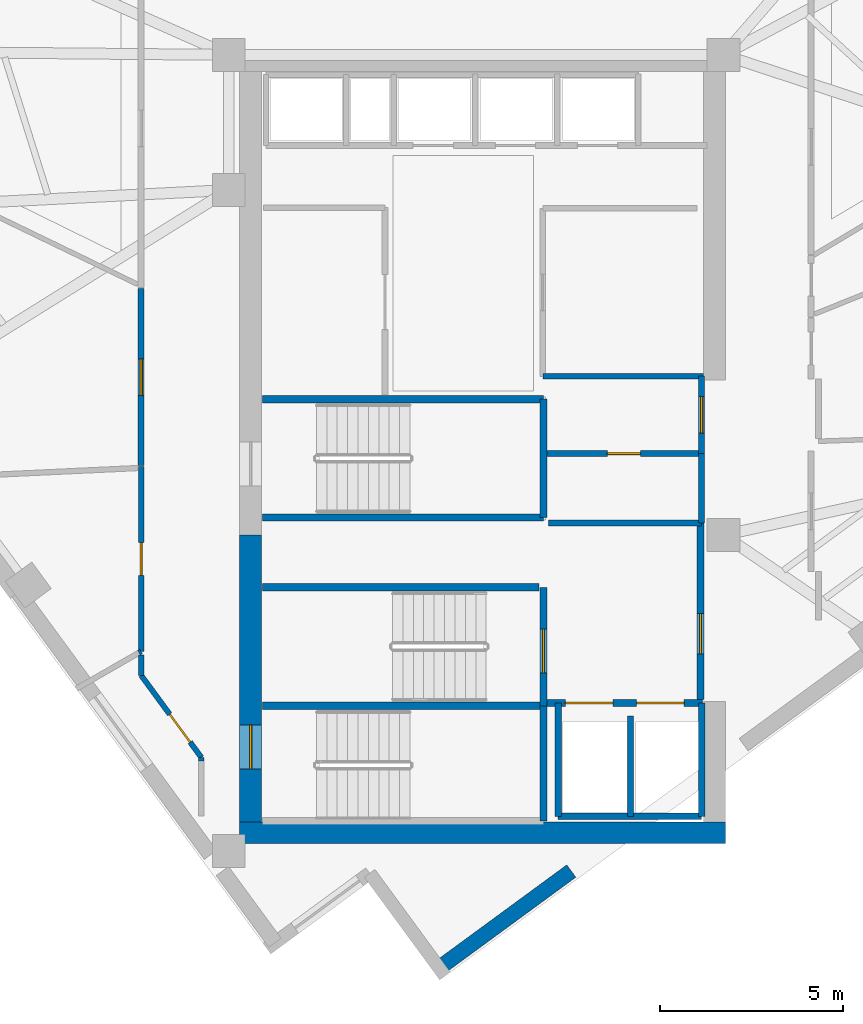
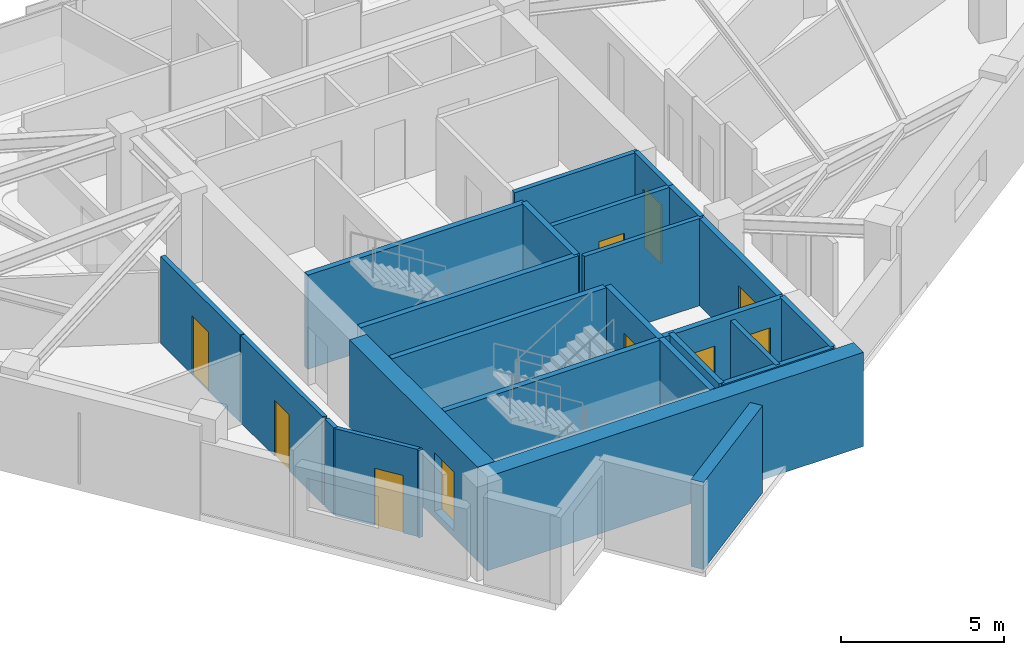
# One storey, part 8 of 13: 27 walls, 10 doors, 10 openings.
"""IFC4 building model written with IfcOpenShell, lengths in metres."""

from ifc_helpers import new_model, si_unit, direction, frame, frame_2d, origin, place, context, subcontext, project, spatial, rectangle, extrude, material, layer, layer_set, type_object, element, fill, save


model = new_model("IFC4")

# Units and contexts
model_context = context("Model", 3, precision=1e-05, world=origin(), true_north=direction((0.0, 1.0)))
body_context = subcontext(model_context, "Body", "Model", "MODEL_VIEW")
ifc_project = project(units=[si_unit("LENGTHUNIT", "METRE"), si_unit("AREAUNIT", "SQUARE_METRE"), si_unit("VOLUMEUNIT", "CUBIC_METRE"), si_unit("PLANEANGLEUNIT", "RADIAN"), si_unit("MASSUNIT", "GRAM", prefix="KILO")], contexts=[model_context])

# Site, building, storey
site_placement = place(None, origin())
site = spatial("IfcSite", under=ifc_project, at=site_placement, CompositionType="ELEMENT")
building_placement = place(site_placement, origin())
building = spatial("IfcBuilding", under=site, at=building_placement, Name="Narakoshi Arena Tower", CompositionType="ELEMENT")
storey_placement = place(building_placement, frame((0.0, 0.0, 253.699951171875)))
storey = spatial("IfcBuildingStorey", under=building, at=storey_placement, Name="L69", CompositionType="ELEMENT", Elevation=253.699951171875)

# Wall, opening, door
ifc_material_1 = material(Name="Concrete C50/60", Category="concrete")
ifc_layer_1 = layer(ifc_material_1, 0.60009765625)
ifc_layer_set_1 = layer_set([ifc_layer_1], Name="Concrete C50/60")
wall_type_1 = type_object("IfcWallType", Name="WL-CORE-600", PredefinedType="SHEAR", material=ifc_layer_set_1)
wall_1_placement = place(storey_placement, frame((72.60009765625, 35.5, -0.260009765625), z_axis=(0.0, 0.0, 1.0), x_axis=(0.0, 1.0, 0.0)))
wall_1 = element("IfcWall", 1, at=wall_1_placement, inside=storey, type_object=wall_type_1, Name="L69 Central Core Shear Wall CW-APX-W", PredefinedType="SHEAR", context=body_context, shape_type="SweptSolid", body=[
    extrude(rectangle(XDim=7.85009765625, YDim=0.60009765625, at=frame_2d((3.925048828125, 0.0))), origin(), (0.0, 0.0, 1.0), 3.52001953125),
])
opening_1_placement = place(wall_1_placement, frame((1.449951171875, 0.0, 0.260009765625)))
opening_1 = element("IfcOpeningElement", 2, at=opening_1_placement, cuts=wall_1, Name="Opening D-03", PredefinedType="OPENING", context=body_context, shape_type="SweptSolid", body=[
    extrude(rectangle(XDim=1.199951171875, YDim=2.199951171875, at=frame_2d((0.60009765625, 1.10009765625))), frame((0.0, 0.31005859375, 0.0), z_axis=(0.0, -1.0, 0.0), x_axis=(1.0, 0.0, 0.0)), (0.0, 0.0, 1.0), 0.6201171875),
])
ifc_material_2 = material(Name="Painted galvanized steel", Category="steel")
door_type_1 = type_object("IfcDoorType", Name="DR-STR-1200", OperationType="NOTDEFINED", PredefinedType="USERDEFINED", material=ifc_material_2)
door_1_placement = place(opening_1_placement, frame((1.199951171875, 0.0, 0.0), z_axis=(0.0, 0.0, 1.0), x_axis=(-1.0, 0.0, 0.0)))
door_1 = element("IfcDoor", 3, at=door_1_placement, inside=storey, type_object=door_type_1, Name="DR-L69-001", ObjectType="EXITDOOR", OperationType="SINGLE_SWING_LEFT", OverallHeight=2.199951171875, OverallWidth=1.199951171875, PredefinedType="USERDEFINED", context=body_context, shape_type="SweptSolid", body=[
    extrude(rectangle(XDim=1.199951171875, YDim=2.199951171875, at=frame_2d((0.60009765625, 1.10009765625))), frame((0.0, 0.02490234375, 0.0), z_axis=(0.0, -1.0, 0.0), x_axis=(1.0, 0.0, 0.0)), (0.0, 0.0, 1.0), 0.050048828125),
])
fill(opening_1, door_1)

# Wall
wall_2_placement = place(storey_placement, frame((72.300048828125, 35.199951171875, -0.260009765625), z_axis=(0.0, 0.0, 1.0), x_axis=(1.0, 0.0, 0.0)))
element("IfcWall", 4, at=wall_2_placement, inside=storey, type_object=wall_type_1, Name="L69 Central Core Shear Wall CW-APX-S", PredefinedType="SHEAR", context=body_context, shape_type="SweptSolid", body=[
    extrude(rectangle(XDim=13.300048828125, YDim=0.60009765625, at=frame_2d((6.64990234375, 0.0))), origin(), (0.0, 0.0, 1.0), 3.52001953125),
])

# Wall, opening, door
ifc_material_3 = material(Name="Gypsum plasterboard fire-rated partition")
ifc_layer_2 = layer(ifc_material_3, 0.1650390625)
ifc_layer_set_2 = layer_set([ifc_layer_2], Name="Gypsum plasterboard fire-rated partition")
wall_type_2 = type_object("IfcWallType", Name="WL-CORR-165", PredefinedType="PARTITIONING", material=ifc_layer_set_2)
wall_3_placement = place(storey_placement, frame((84.949951171875, 45.580078125, 0.0), z_axis=(0.0, 0.0, 1.0), x_axis=(0.0, 1.0, 0.0)))
wall_3 = element("IfcWall", 5, at=wall_3_placement, inside=storey, type_object=wall_type_2, Name="L69 Core Wall CPAS-E", PredefinedType="PARTITIONING", context=body_context, shape_type="SweptSolid", body=[
    extrude(rectangle(XDim=2.119873046875, YDim=0.1650390625, at=frame_2d((1.06005859375, 0.0))), origin(), (0.0, 0.0, 1.0), 3.260009765625),
])
opening_2_placement = place(wall_3_placement, frame((0.56005859375, 0.0, 0.0)))
opening_2 = element("IfcOpeningElement", 6, at=opening_2_placement, cuts=wall_3, Name="Opening D-06", PredefinedType="OPENING", context=body_context, shape_type="SweptSolid", body=[
    extrude(rectangle(XDim=1.0, YDim=2.199951171875, at=frame_2d((0.5, 1.10009765625))), frame((0.0, 0.092529296875, 0.0), z_axis=(0.0, -1.0, 0.0), x_axis=(1.0, 0.0, 0.0)), (0.0, 0.0, 1.0), 0.18505859375),
])
ifc_material_4 = material(Name="Stained oak solid-core timber", Category="wood")
door_type_2 = type_object("IfcDoorType", Name="DR-OFF-1000", OperationType="NOTDEFINED", PredefinedType="DOOR", material=ifc_material_4)
door_2_placement = place(opening_2_placement, frame((1.0, 0.0, 0.0), z_axis=(0.0, 0.0, 1.0), x_axis=(-1.0, 0.0, 0.0)))
door_2 = element("IfcDoor", 7, at=door_2_placement, inside=storey, type_object=door_type_2, Name="DR-L69-007", OperationType="SINGLE_SWING_LEFT", OverallHeight=2.199951171875, OverallWidth=1.0, PredefinedType="DOOR", context=body_context, shape_type="SweptSolid", body=[
    extrude(rectangle(XDim=1.0, YDim=2.199951171875, at=frame_2d((0.5, 1.10009765625))), frame((0.0, 0.02490234375, 0.0), z_axis=(0.0, -1.0, 0.0), x_axis=(1.0, 0.0, 0.0)), (0.0, 0.0, 1.0), 0.050048828125),
])
fill(opening_2, door_2)

wall_4_placement = place(storey_placement, frame((69.60009765625, 50.103515625, 0.0), z_axis=(0.0, 0.0, 1.0), x_axis=(0.0, -1.0, 0.0)))
wall_4 = element("IfcWall", 8, at=wall_4_placement, inside=storey, type_object=wall_type_2, Name="L69 Corridor Partition 09-1", PredefinedType="PARTITIONING", context=body_context, shape_type="SweptSolid", body=[
    extrude(rectangle(XDim=4.85302734375, YDim=0.1650390625, at=frame_2d((2.426513671875, 0.0))), origin(), (0.0, 0.0, 1.0), 3.260009765625),
])
opening_3_placement = place(wall_4_placement, frame((1.926513671875, 0.0, 0.0)))
opening_3 = element("IfcOpeningElement", 9, at=opening_3_placement, cuts=wall_4, Name="Opening D-06", PredefinedType="OPENING", context=body_context, shape_type="SweptSolid", body=[
    extrude(rectangle(XDim=1.0, YDim=2.199951171875, at=frame_2d((0.5, 1.10009765625))), frame((0.0, 0.092529296875, 0.0), z_axis=(0.0, -1.0, 0.0), x_axis=(1.0, 0.0, 0.0)), (0.0, 0.0, 1.0), 0.18505859375),
])
door_3_placement = place(opening_3_placement, frame((1.0, 0.0, 0.0), z_axis=(0.0, 0.0, 1.0), x_axis=(-1.0, 0.0, 0.0)))
door_3 = element("IfcDoor", 10, at=door_3_placement, inside=storey, type_object=door_type_2, Name="DR-L69-022", OperationType="SINGLE_SWING_LEFT", OverallHeight=2.199951171875, OverallWidth=1.0, PredefinedType="DOOR", context=body_context, shape_type="SweptSolid", body=[
    extrude(rectangle(XDim=1.0, YDim=2.199951171875, at=frame_2d((0.5, 1.10009765625))), frame((0.0, 0.02490234375, 0.0), z_axis=(0.0, -1.0, 0.0), x_axis=(1.0, 0.0, 0.0)), (0.0, 0.0, 1.0), 0.050048828125),
])
fill(opening_3, door_3)

# Walls
ifc_material_5 = material(Name="Precast concrete C45/55", Category="concrete")
ifc_layer_3 = layer(ifc_material_5, 0.419921875)
ifc_layer_set_3 = layer_set([ifc_layer_3], Name="Precast concrete C45/55")
wall_type_3 = type_object("IfcWallType", Name="WL-POD-420", PredefinedType="SOLIDWALL", material=ifc_layer_set_3)
wall_5_placement = place(storey_placement, frame((77.760009765625, 31.4951171875, 0.0), z_axis=(0.0, 0.0, 1.0), x_axis=(0.806458583304, 0.591290582891, 0.0)))
element("IfcWall", 11, at=wall_5_placement, inside=storey, type_object=wall_type_3, Name="L69 Architectural Concrete Facade Wall LEGA-1", PredefinedType="SOLIDWALL", context=body_context, shape_type="SweptSolid", body=[
    extrude(rectangle(XDim=4.48974609375, YDim=0.419921875, at=frame_2d((2.244873046875, 0.0))), origin(), (0.0, 0.0, 1.0), 3.260009765625),
])
ifc_material_6 = material(Name="Concrete C40/50", Category="concrete")
ifc_layer_4 = layer(ifc_material_6, 0.280029296875)
ifc_layer_set_4 = layer_set([ifc_layer_4], Name="Concrete C40/50")
wall_type_4 = type_object("IfcWallType", Name="WL-RISER-280", PredefinedType="PLUMBINGWALL", material=ifc_layer_set_4)
wall_6_placement = place(storey_placement, frame((83.0, 35.64990234375, 0.0), z_axis=(0.0, 0.0, 1.0), x_axis=(0.0, 1.0, 0.0)))
element("IfcWall", 12, at=wall_6_placement, inside=storey, type_object=wall_type_4, Name="L69 Core Wall FF-DIV", PredefinedType="PLUMBINGWALL", context=body_context, shape_type="SweptSolid", body=[
    extrude(rectangle(XDim=2.75, YDim=0.159912109375, at=frame_2d((1.375, 0.0))), origin(), (0.0, 0.0, 1.0), 3.260009765625),
])
wall_7_placement = place(storey_placement, frame((84.949951171875, 43.679931640625, 0.0), z_axis=(0.0, 0.0, 1.0), x_axis=(0.0, 1.0, 0.0)))
element("IfcWall", 13, at=wall_7_placement, inside=storey, type_object=wall_type_4, Name="L69 Core Wall RSR-E", PredefinedType="PLUMBINGWALL", context=body_context, shape_type="SweptSolid", body=[
    extrude(rectangle(XDim=1.900146484375, YDim=0.1650390625, at=frame_2d((0.9501953125, 0.0))), origin(), (0.0, 0.0, 1.0), 3.260009765625),
])

# Wall, opening, door
wall_8_placement = place(storey_placement, frame((80.719970703125, 45.580078125, 0.0), z_axis=(0.0, 0.0, 1.0), x_axis=(1.0, 0.0, 0.0)))
wall_8 = element("IfcWall", 14, at=wall_8_placement, inside=storey, type_object=wall_type_4, Name="L69 Core Wall RSR-N", PredefinedType="PLUMBINGWALL", context=body_context, shape_type="SweptSolid", body=[
    extrude(rectangle(XDim=4.22998046875, YDim=0.159912109375, at=frame_2d((2.114990234375, 0.0))), origin(), (0.0, 0.0, 1.0), 3.260009765625),
])
opening_4_placement = place(wall_8_placement, frame((1.64990234375, 0.0, 0.0)))
opening_4 = element("IfcOpeningElement", 15, at=opening_4_placement, cuts=wall_8, Name="Opening D-08", PredefinedType="OPENING", context=body_context, shape_type="SweptSolid", body=[
    extrude(rectangle(XDim=0.89990234375, YDim=2.10009765625, at=frame_2d((0.449951171875, 1.050048828125))), frame((0.0, 0.08984375, 0.0), z_axis=(0.0, -1.0, 0.0), x_axis=(1.0, 0.0, 0.0)), (0.0, 0.0, 1.0), 0.179931640625),
])
ifc_material_7 = material(Name="Moisture-resistant laminate timber", Category="wood")
door_type_3 = type_object("IfcDoorType", Name="DR-WC-900", OperationType="NOTDEFINED", PredefinedType="DOOR", material=ifc_material_7)
door_4_placement = place(opening_4_placement, frame((0.89990234375, 0.0, 0.0), z_axis=(0.0, 0.0, 1.0), x_axis=(-1.0, 0.0, 0.0)))
door_4 = element("IfcDoor", 16, at=door_4_placement, inside=storey, type_object=door_type_3, Name="DR-L69-008", OperationType="SINGLE_SWING_LEFT", OverallHeight=2.10009765625, OverallWidth=0.89990234375, PredefinedType="DOOR", context=body_context, shape_type="SweptSolid", body=[
    extrude(rectangle(XDim=0.89990234375, YDim=2.10009765625, at=frame_2d((0.449951171875, 1.050048828125))), frame((0.0, 0.02490234375, 0.0), z_axis=(0.0, -1.0, 0.0), x_axis=(1.0, 0.0, 0.0)), (0.0, 0.0, 1.0), 0.050048828125),
])
fill(opening_4, door_4)

# Walls
wall_9_placement = place(storey_placement, frame((80.760009765625, 43.679931640625, 0.0), z_axis=(0.0, 0.0, 1.0), x_axis=(1.0, 0.0, 0.0)))
element("IfcWall", 17, at=wall_9_placement, inside=storey, type_object=wall_type_4, Name="L69 Core Wall RSR-S", PredefinedType="PLUMBINGWALL", context=body_context, shape_type="SweptSolid", body=[
    extrude(rectangle(XDim=4.18994140625, YDim=0.159912109375, at=frame_2d((2.094970703125, 0.0))), origin(), (0.0, 0.0, 1.0), 3.260009765625),
])
ifc_layer_5 = layer(ifc_material_1, 0.35009765625)
ifc_layer_set_5 = layer_set([ifc_layer_5], Name="Concrete C50/60")
wall_type_5 = type_object("IfcWallType", Name="WL-SHAFT-350", PredefinedType="SOLIDWALL", material=ifc_layer_set_5)
wall_10_placement = place(storey_placement, frame((72.919921875, 38.675048828125, -0.260009765625), z_axis=(0.0, 0.0, 1.0), x_axis=(1.0, 0.0, 0.0)))
element("IfcWall", 18, at=wall_10_placement, inside=storey, type_object=wall_type_5, Name="L69 Core Wall ST12-DIV", PredefinedType="SOLIDWALL", context=body_context, shape_type="SweptSolid", body=[
    extrude(rectangle(XDim=7.7001953125, YDim=0.199951171875, at=frame_2d((3.85009765625, 0.0))), origin(), (0.0, 0.0, 1.0), 3.52001953125),
])
wall_11_placement = place(storey_placement, frame((80.6201171875, 35.52001953125, -0.260009765625), z_axis=(0.0, 0.0, 1.0), x_axis=(0.0, 1.0, 0.0)))
element("IfcWall", 19, at=wall_11_placement, inside=storey, type_object=wall_type_5, Name="L69 Core Wall ST1-E", PredefinedType="SOLIDWALL", context=body_context, shape_type="SweptSolid", body=[
    extrude(rectangle(XDim=3.155029296875, YDim=0.199951171875, at=frame_2d((1.57763671875, 0.0))), origin(), (0.0, 0.0, 1.0), 3.52001953125),
])

# Wall, opening, door
wall_12_placement = place(storey_placement, frame((80.6201171875, 38.675048828125, -0.260009765625), z_axis=(0.0, 0.0, 1.0), x_axis=(0.0, 1.0, 0.0)))
wall_12 = element("IfcWall", 20, at=wall_12_placement, inside=storey, type_object=wall_type_5, Name="L69 Core Wall ST2-E", PredefinedType="SOLIDWALL", context=body_context, shape_type="SweptSolid", body=[
    extrude(rectangle(XDim=3.244873046875, YDim=0.199951171875, at=frame_2d((1.62255859375, 0.0))), origin(), (0.0, 0.0, 1.0), 3.52001953125),
])
opening_5_placement = place(wall_12_placement, frame((0.89990234375, 0.0, 0.260009765625)))
opening_5 = element("IfcOpeningElement", 21, at=opening_5_placement, cuts=wall_12, Name="Opening D-03", PredefinedType="OPENING", context=body_context, shape_type="SweptSolid", body=[
    extrude(rectangle(XDim=1.199951171875, YDim=2.199951171875, at=frame_2d((0.60009765625, 1.10009765625))), frame((0.0, 0.10986328125, 0.0), z_axis=(0.0, -1.0, 0.0), x_axis=(1.0, 0.0, 0.0)), (0.0, 0.0, 1.0), 0.219970703125),
])
door_5_placement = place(opening_5_placement, origin())
door_5 = element("IfcDoor", 22, at=door_5_placement, inside=storey, type_object=door_type_1, Name="DR-L69-002", ObjectType="EXITDOOR", OperationType="SINGLE_SWING_RIGHT", OverallHeight=2.199951171875, OverallWidth=1.199951171875, PredefinedType="USERDEFINED", context=body_context, shape_type="SweptSolid", body=[
    extrude(rectangle(XDim=1.199951171875, YDim=2.199951171875, at=frame_2d((0.60009765625, 1.10009765625))), frame((0.0, 0.02490234375, 0.0), z_axis=(0.0, -1.0, 0.0), x_axis=(1.0, 0.0, 0.0)), (0.0, 0.0, 1.0), 0.050048828125),
])
fill(opening_5, door_5)

# Wall, openings, doors
wall_13_placement = place(storey_placement, frame((80.719970703125, 38.75, 0.0), z_axis=(0.0, 0.0, 1.0), x_axis=(1.0, 0.0, 0.0)))
wall_13 = element("IfcWall", 23, at=wall_13_placement, inside=storey, type_object=wall_type_5, Name="L69 Core Wall FF-N", PredefinedType="SOLIDWALL", context=body_context, shape_type="SweptSolid", body=[
    extrude(rectangle(XDim=4.260009765625, YDim=0.199951171875, at=frame_2d((2.1298828125, 0.0))), origin(), (0.0, 0.0, 1.0), 3.260009765625),
])
opening_6_placement = place(wall_13_placement, frame((0.5, 0.0, 0.0)))
opening_6 = element("IfcOpeningElement", 24, at=opening_6_placement, cuts=wall_13, Name="Opening LD-02", PredefinedType="OPENING", context=body_context, shape_type="SweptSolid", body=[
    extrude(rectangle(XDim=1.300048828125, YDim=2.300048828125, at=frame_2d((0.64990234375, 1.14990234375))), frame((0.0, 0.10986328125, 0.0), z_axis=(0.0, -1.0, 0.0), x_axis=(1.0, 0.0, 0.0)), (0.0, 0.0, 1.0), 0.219970703125),
])
opening_7_placement = place(wall_13_placement, frame((2.449951171875, 0.0, 0.0)))
opening_7 = element("IfcOpeningElement", 25, at=opening_7_placement, cuts=wall_13, Name="Opening LD-02", PredefinedType="OPENING", context=body_context, shape_type="SweptSolid", body=[
    extrude(rectangle(XDim=1.300048828125, YDim=2.300048828125, at=frame_2d((0.64990234375, 1.14990234375))), frame((0.0, 0.10986328125, 0.0), z_axis=(0.0, -1.0, 0.0), x_axis=(1.0, 0.0, 0.0)), (0.0, 0.0, 1.0), 0.219970703125),
])
ifc_material_8 = material(Name="Brushed bronze stainless steel", Category="steel")
door_type_4 = type_object("IfcDoorType", Name="DR-LFT-1300", OperationType="DOUBLE_DOOR_SLIDING", PredefinedType="DOOR", material=ifc_material_8)
door_6_placement = place(opening_6_placement, origin())
door_6 = element("IfcDoor", 26, at=door_6_placement, inside=storey, type_object=door_type_4, Name="DR-L69-003", OperationType="DOUBLE_DOOR_SLIDING", OverallHeight=2.300048828125, OverallWidth=1.300048828125, PredefinedType="DOOR", context=body_context, shape_type="SweptSolid", body=[
    extrude(rectangle(XDim=1.300048828125, YDim=2.300048828125, at=frame_2d((0.64990234375, 1.14990234375))), frame((0.0, 0.02490234375, 0.0), z_axis=(0.0, -1.0, 0.0), x_axis=(1.0, 0.0, 0.0)), (0.0, 0.0, 1.0), 0.050048828125),
])
fill(opening_6, door_6)
door_7_placement = place(opening_7_placement, origin())
door_7 = element("IfcDoor", 27, at=door_7_placement, inside=storey, type_object=door_type_4, Name="DR-L69-004", OperationType="DOUBLE_DOOR_SLIDING", OverallHeight=2.300048828125, OverallWidth=1.300048828125, PredefinedType="DOOR", context=body_context, shape_type="SweptSolid", body=[
    extrude(rectangle(XDim=1.300048828125, YDim=2.300048828125, at=frame_2d((0.64990234375, 1.14990234375))), frame((0.0, 0.02490234375, 0.0), z_axis=(0.0, -1.0, 0.0), x_axis=(1.0, 0.0, 0.0)), (0.0, 0.0, 1.0), 0.050048828125),
])
fill(opening_7, door_7)

# Walls
for number, where, z_axis, x_axis, name in (
    (28, (84.949951171875, 35.64990234375, 0.0), (0.0, 0.0, 1.0), (0.0, 1.0, 0.0), "L69 Core Wall FF-E"),
    (29, (81.02001953125, 35.64990234375, 0.0), (0.0, 0.0, 1.0), (0.0, 1.0, 0.0), "L69 Core Wall FF-W"),
):
    element("IfcWall", number, at=place(storey_placement, frame(where, z_axis=z_axis, x_axis=x_axis)), inside=storey, type_object=wall_type_5, Name=name, PredefinedType="SOLIDWALL", context=body_context, shape_type="SweptSolid", body=[
        extrude(rectangle(XDim=3.10009765625, YDim=0.179931640625, at=frame_2d((1.550048828125, 0.0))), origin(), (0.0, 0.0, 1.0), 3.260009765625),
    ])
wall_14_placement = place(storey_placement, frame((81.02001953125, 35.64990234375, 0.0), z_axis=(0.0, 0.0, 1.0), x_axis=(1.0, 0.0, 0.0)))
element("IfcWall", 30, at=wall_14_placement, inside=storey, type_object=wall_type_5, Name="L69 Core Wall FF-S", PredefinedType="SOLIDWALL", context=body_context, shape_type="SweptSolid", body=[
    extrude(rectangle(XDim=3.929931640625, YDim=0.179931640625, at=frame_2d((1.96484375, 0.0))), origin(), (0.0, 0.0, 1.0), 3.260009765625),
])

# Wall, opening, door
wall_15_placement = place(storey_placement, frame((84.919921875, 38.85009765625, 0.0), z_axis=(0.0, 0.0, 1.0), x_axis=(0.0, 1.0, 0.0)))
wall_15 = element("IfcWall", 31, at=wall_15_placement, inside=storey, type_object=wall_type_5, Name="L69 Core Wall FFLOB-E", PredefinedType="SOLIDWALL", context=body_context, shape_type="SweptSolid", body=[
    extrude(rectangle(XDim=4.829833984375, YDim=0.199951171875, at=frame_2d((2.4150390625, 0.0))), origin(), (0.0, 0.0, 1.0), 3.260009765625),
])
opening_8_placement = place(wall_15_placement, frame((1.25, 0.0, 0.0)))
opening_8 = element("IfcOpeningElement", 32, at=opening_8_placement, cuts=wall_15, Name="Opening D-04", PredefinedType="OPENING", context=body_context, shape_type="SweptSolid", body=[
    extrude(rectangle(XDim=1.10009765625, YDim=2.199951171875, at=frame_2d((0.550048828125, 1.10009765625))), frame((0.0, 0.10986328125, 0.0), z_axis=(0.0, -1.0, 0.0), x_axis=(1.0, 0.0, 0.0)), (0.0, 0.0, 1.0), 0.219970703125),
])
door_type_5 = type_object("IfcDoorType", Name="DR-FFL-1100", OperationType="NOTDEFINED", PredefinedType="DOOR", material=ifc_material_2)
door_8_placement = place(opening_8_placement, frame((1.10009765625, 0.0, 0.0), z_axis=(0.0, 0.0, 1.0), x_axis=(-1.0, 0.0, 0.0)))
door_8 = element("IfcDoor", 33, at=door_8_placement, inside=storey, type_object=door_type_5, Name="DR-L69-005", OperationType="SINGLE_SWING_RIGHT", OverallHeight=2.199951171875, OverallWidth=1.10009765625, PredefinedType="DOOR", context=body_context, shape_type="SweptSolid", body=[
    extrude(rectangle(XDim=1.10009765625, YDim=2.199951171875, at=frame_2d((0.550048828125, 1.10009765625))), frame((0.0, 0.02490234375, 0.0), z_axis=(0.0, -1.0, 0.0), x_axis=(1.0, 0.0, 0.0)), (0.0, 0.0, 1.0), 0.050048828125),
])
fill(opening_8, door_8)

# Walls
wall_16_placement = place(storey_placement, frame((72.919921875, 41.919921875, -0.260009765625), z_axis=(0.0, 0.0, 1.0), x_axis=(1.0, 0.0, 0.0)))
element("IfcWall", 34, at=wall_16_placement, inside=storey, type_object=wall_type_5, Name="L69 Core Wall ST2-N", PredefinedType="SOLIDWALL", context=body_context, shape_type="SweptSolid", body=[
    extrude(rectangle(XDim=7.580078125, YDim=0.199951171875, at=frame_2d((3.7900390625, 0.0))), origin(), (0.0, 0.0, 1.0), 3.52001953125),
])
for number, where, z_axis, x_axis, name in (
    (35, (72.919921875, 43.830078125, -0.260009765625), (0.0, 0.0, 1.0), (1.0, 0.0, 0.0), "L69 Core Wall ST3-S"),
    (36, (72.919921875, 47.070068359375, -0.260009765625), (0.0, 0.0, 1.0), (1.0, 0.0, 0.0), "L69 Core Wall ST3-N"),
):
    element("IfcWall", number, at=place(storey_placement, frame(where, z_axis=z_axis, x_axis=x_axis)), inside=storey, type_object=wall_type_5, Name=name, PredefinedType="SOLIDWALL", context=body_context, shape_type="SweptSolid", body=[
        extrude(rectangle(XDim=7.7001953125, YDim=0.199951171875, at=frame_2d((3.85009765625, 0.0))), origin(), (0.0, 0.0, 1.0), 3.52001953125),
    ])
wall_17_placement = place(storey_placement, frame((80.6201171875, 43.830078125, -0.260009765625), z_axis=(0.0, 0.0, 1.0), x_axis=(0.0, 1.0, 0.0)))
element("IfcWall", 37, at=wall_17_placement, inside=storey, type_object=wall_type_5, Name="L69 Core Wall ST3-E", PredefinedType="SOLIDWALL", context=body_context, shape_type="SweptSolid", body=[
    extrude(rectangle(XDim=3.239990234375, YDim=0.199951171875, at=frame_2d((1.6201171875, 0.0))), origin(), (0.0, 0.0, 1.0), 3.52001953125),
])
wall_18_placement = place(storey_placement, frame((80.60009765625, 47.699951171875, 0.0), z_axis=(0.0, 0.0, 1.0), x_axis=(1.0, 0.0, 0.0)))
element("IfcWall", 38, at=wall_18_placement, inside=storey, type_object=wall_type_5, Name="L69 Core Wall MR-S", PredefinedType="SOLIDWALL", context=body_context, shape_type="SweptSolid", body=[
    extrude(rectangle(XDim=4.39990234375, YDim=0.159912109375, at=frame_2d((2.199951171875, 0.0))), origin(), (0.0, 0.0, 1.0), 3.260009765625),
])

# Wall, opening, door
ifc_material_9 = material(Name="Moisture-resistant cement-board partition")
ifc_layer_6 = layer(ifc_material_9, 0.14501953125)
ifc_layer_set_6 = layer_set([ifc_layer_6], Name="Moisture-resistant cement-board partition")
wall_type_6 = type_object("IfcWallType", Name="WL-WET-145", PredefinedType="PARTITIONING", material=ifc_layer_set_6)
wall_19_placement = place(storey_placement, frame((69.60009765625, 45.2265625, 0.0), z_axis=(0.0, 0.0, 1.0), x_axis=(0.0, -1.0, 0.0)))
wall_19 = element("IfcWall", 39, at=wall_19_placement, inside=storey, type_object=wall_type_6, Name="L69 Corridor Partition 01-1", PredefinedType="PARTITIONING", context=body_context, shape_type="SweptSolid", body=[
    extrude(rectangle(XDim=5.064453125, YDim=0.14501953125, at=frame_2d((2.5322265625, 0.0))), origin(), (0.0, 0.0, 1.0), 3.260009765625),
])
opening_9_placement = place(wall_19_placement, frame((2.082275390625, 0.0, 0.0)))
opening_9 = element("IfcOpeningElement", 40, at=opening_9_placement, cuts=wall_19, Name="Opening D-08", PredefinedType="OPENING", context=body_context, shape_type="SweptSolid", body=[
    extrude(rectangle(XDim=0.89990234375, YDim=2.10009765625, at=frame_2d((0.449951171875, 1.050048828125))), frame((0.0, 0.08251953125, 0.0), z_axis=(0.0, -1.0, 0.0), x_axis=(1.0, 0.0, 0.0)), (0.0, 0.0, 1.0), 0.1650390625),
])
door_9_placement = place(opening_9_placement, frame((0.89990234375, 0.0, 0.0), z_axis=(0.0, 0.0, 1.0), x_axis=(-1.0, 0.0, 0.0)))
door_9 = element("IfcDoor", 41, at=door_9_placement, inside=storey, type_object=door_type_3, Name="DR-L69-014", OperationType="SINGLE_SWING_RIGHT", OverallHeight=2.10009765625, OverallWidth=0.89990234375, PredefinedType="DOOR", context=body_context, shape_type="SweptSolid", body=[
    extrude(rectangle(XDim=0.89990234375, YDim=2.10009765625, at=frame_2d((0.449951171875, 1.050048828125))), frame((0.0, 0.02490234375, 0.0), z_axis=(0.0, -1.0, 0.0), x_axis=(1.0, 0.0, 0.0)), (0.0, 0.0, 1.0), 0.050048828125),
])
fill(opening_9, door_9)

# Wall
wall_20_placement = place(storey_placement, frame((69.60009765625, 40.162109375, 0.0), z_axis=(0.0, 0.0, 1.0), x_axis=(-0.861483751262, -0.507785137939, 0.0)))
element("IfcWall", 42, at=wall_20_placement, inside=storey, type_object=wall_type_6, Name="L69 Corridor Partition 01-2", PredefinedType="PARTITIONING", context=body_context, shape_type="SweptSolid", body=[
    extrude(rectangle(XDim=0.06982421875, YDim=0.14501953125, at=frame_2d((0.034912109375, 0.0))), origin(), (0.0, 0.0, 1.0), 3.260009765625),
])

# Wall, opening, door
wall_21_placement = place(storey_placement, frame((69.60009765625, 39.51171875, 0.0), z_axis=(0.0, 0.0, 1.0), x_axis=(0.591299177559, -0.806452281675, 0.0)))
wall_21 = element("IfcWall", 43, at=wall_21_placement, inside=storey, type_object=wall_type_6, Name="L69 Corridor Partition 02-1", PredefinedType="PARTITIONING", context=body_context, shape_type="SweptSolid", body=[
    extrude(rectangle(XDim=2.790283203125, YDim=0.14501953125, at=frame_2d((1.39501953125, 0.0))), origin(), (0.0, 0.0, 1.0), 3.260009765625),
])
opening_10_placement = place(wall_21_placement, frame((1.323486328125, 0.0, 0.0)))
opening_10 = element("IfcOpeningElement", 44, at=opening_10_placement, cuts=wall_21, Name="Opening D-07", PredefinedType="OPENING", context=body_context, shape_type="SweptSolid", body=[
    extrude(rectangle(XDim=0.949951171875, YDim=2.14990234375, at=frame_2d((0.47509765625, 1.074951171875))), frame((0.0, 0.08251953125, 0.0), z_axis=(0.0, -1.0, 0.0), x_axis=(1.0, 0.0, 0.0)), (0.0, 0.0, 1.0), 0.1650390625),
])
door_type_6 = type_object("IfcDoorType", Name="DR-ACC-950", OperationType="NOTDEFINED", PredefinedType="DOOR", material=ifc_material_4)
door_10_placement = place(opening_10_placement, frame((0.949951171875, 0.0, 0.0), z_axis=(0.0, 0.0, 1.0), x_axis=(-1.0, 0.0, 0.0)))
door_10 = element("IfcDoor", 45, at=door_10_placement, inside=storey, type_object=door_type_6, Name="DR-L69-015", OperationType="SINGLE_SWING_RIGHT", OverallHeight=2.14990234375, OverallWidth=0.949951171875, PredefinedType="DOOR", context=body_context, shape_type="SweptSolid", body=[
    extrude(rectangle(XDim=0.949951171875, YDim=2.14990234375, at=frame_2d((0.47509765625, 1.074951171875))), frame((0.0, 0.02490234375, 0.0), z_axis=(0.0, -1.0, 0.0), x_axis=(1.0, 0.0, 0.0)), (0.0, 0.0, 1.0), 0.050048828125),
])
fill(opening_10, door_10)

# Walls
wall_22_placement = place(storey_placement, frame((69.60009765625, 40.06396484375, 0.0), z_axis=(0.0, 0.0, 1.0), x_axis=(0.0, -1.0, 0.0)))
element("IfcWall", 46, at=wall_22_placement, inside=storey, type_object=wall_type_6, Name="L69 Corridor Partition 02-2", PredefinedType="PARTITIONING", context=body_context, shape_type="SweptSolid", body=[
    extrude(rectangle(XDim=0.55224609375, YDim=0.14501953125, at=frame_2d((0.276123046875, 0.0))), origin(), (0.0, 0.0, 1.0), 3.260009765625),
])
wall_23_placement = place(storey_placement, frame((71.25, 37.261474609375, 0.0), z_axis=(0.0, 0.0, 1.0), x_axis=(0.0, -1.0, 0.0)))
element("IfcWall", 47, at=wall_23_placement, inside=storey, type_object=wall_type_6, Name="L69 Corridor Partition 02-3", PredefinedType="PARTITIONING", context=body_context, shape_type="SweptSolid", body=[
    extrude(rectangle(XDim=0.1015625, YDim=0.14501953125, at=frame_2d((0.05078125, 0.0))), origin(), (0.0, 0.0, 1.0), 3.260009765625),
])

save(model, "model.ifc")
